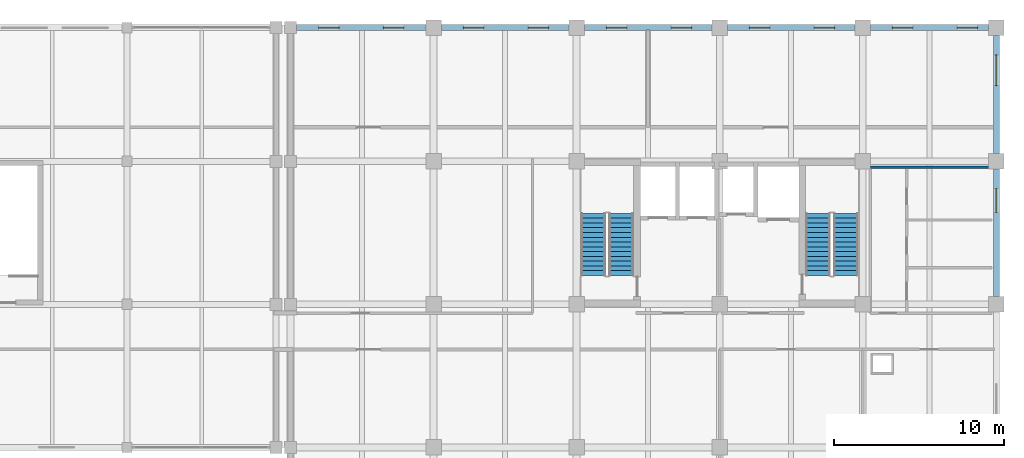
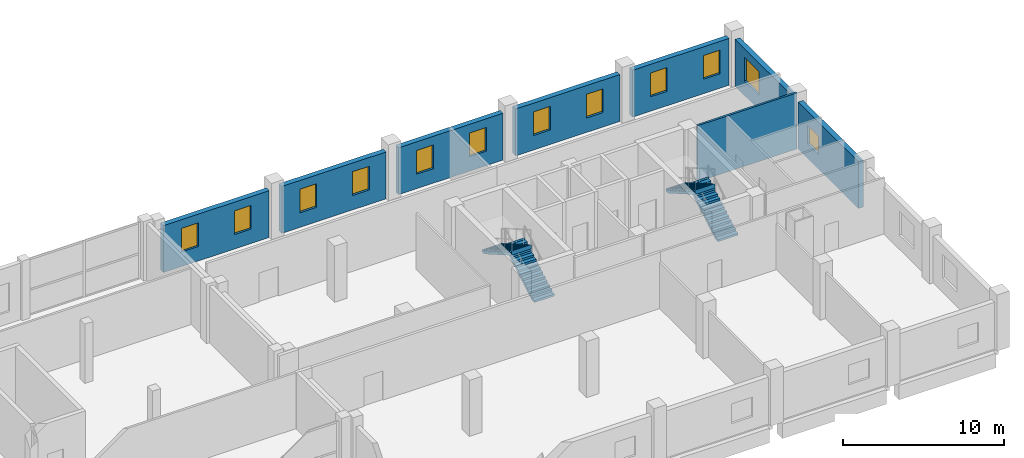
# One storey, part 16 of 18: 12 windows, 8 walls, 4 stair flights, 12 openings, 2 elements without a shape of their own.
"""IFC4 building model written with IfcOpenShell, lengths in metres."""

from ifc_helpers import new_model, si_unit, direction, frame, frame_2d, origin, place, context, subcontext, project, spatial, polyline, rectangle, outline, extrude, material, layer, layer_set, type_object, element, fill, aggregate, save


model = new_model("IFC4")

# Units and contexts
model_context = context("Model", 3, precision=1e-05, world=origin(), true_north=direction((0.0, 1.0)))
body_context = subcontext(model_context, "Body", "Model", "MODEL_VIEW")
ifc_project = project(units=[si_unit("LENGTHUNIT", "METRE"), si_unit("AREAUNIT", "SQUARE_METRE"), si_unit("VOLUMEUNIT", "CUBIC_METRE"), si_unit("PLANEANGLEUNIT", "RADIAN"), si_unit("MASSUNIT", "GRAM", prefix="KILO")], contexts=[model_context])

# Site, building, storey
site_placement = place(None, origin())
site = spatial("IfcSite", under=ifc_project, at=site_placement, CompositionType="ELEMENT")
building_placement = place(site_placement, origin())
building = spatial("IfcBuilding", under=site, at=building_placement, Name="Brinegate Botanical Conservatory", CompositionType="ELEMENT")
storey_placement = place(building_placement, frame((0.0, 0.0, 14.699951171875)))
storey = spatial("IfcBuildingStorey", under=building, at=storey_placement, Name="L04", CompositionType="ELEMENT", Elevation=14.699951171875)

# Wall, openings, windows
ifc_material_1 = material(Name="Insulated Minnan red clay brick masonry", Category="masonry")
ifc_layer_1 = layer(ifc_material_1, 0.360107421875, Name="Insulated Minnan red clay brick masonry", Category="masonry")
ifc_layer_set_1 = layer_set([ifc_layer_1], Name="Insulated Minnan red clay brick masonry")
wall_type_1 = type_object("IfcWallType", Name="Wall_EW-360B", PredefinedType="STANDARD", material=ifc_layer_set_1)
wall_1_placement = place(storey_placement, frame((122.35009765625, 111.449951171875, 0.0), z_axis=(0.0, 0.0, 1.0), x_axis=(1.0, 0.0, 0.0)))
wall_1 = element("IfcWall", 1, at=wall_1_placement, inside=storey, type_object=wall_type_1, Name="Herbarium north insulated red-brick wall L04.1", PredefinedType="STANDARD", context=body_context, shape_type="SweptSolid", body=[
    extrude(rectangle(XDim=7.599853515625, YDim=0.360107421875, at=frame_2d((3.7998046875, 0.0))), origin(), (0.0, 0.0, 1.0), 3.56005859375),
])
opening_1_placement = place(wall_1_placement, frame((1.300048828125, 0.0, 1.10009765625)))
opening_1 = element("IfcOpeningElement", 2, at=opening_1_placement, cuts=wall_1, Name="Opening WN-06", PredefinedType="OPENING", context=body_context, shape_type="SweptSolid", body=[
    extrude(rectangle(XDim=1.199951171875, YDim=1.800048828125, at=frame_2d((0.60009765625, 0.89990234375))), frame((0.0, 0.18994140625, 0.0), z_axis=(0.0, -1.0, 0.0), x_axis=(1.0, 0.0, 0.0)), (0.0, 0.0, 1.0), 0.380126953125),
])
opening_2_placement = place(wall_1_placement, frame((5.10009765625, 0.0, 1.10009765625)))
opening_2 = element("IfcOpeningElement", 3, at=opening_2_placement, cuts=wall_1, Name="Opening WN-06", PredefinedType="OPENING", context=body_context, shape_type="SweptSolid", body=[
    extrude(rectangle(XDim=1.199951171875, YDim=1.800048828125, at=frame_2d((0.60009765625, 0.89990234375))), frame((0.0, 0.18994140625, 0.0), z_axis=(0.0, -1.0, 0.0), x_axis=(1.0, 0.0, 0.0)), (0.0, 0.0, 1.0), 0.380126953125),
])
ifc_material_2 = material(Name="Thermally broken aluminium-framed Low-E glass", Category="aluminium")
window_type_1 = type_object("IfcWindowType", Name="Win_WN-06", PartitioningType="SINGLE_PANEL", PredefinedType="WINDOW", material=ifc_material_2)
window_1_placement = place(opening_1_placement, origin())
window_1 = element("IfcWindow", 4, at=window_1_placement, inside=storey, type_object=window_type_1, Name="Herbarium north UV-filtered window L04.1A", OverallHeight=1.800048828125, OverallWidth=1.199951171875, PartitioningType="SINGLE_PANEL", PredefinedType="WINDOW", context=body_context, shape_type="SweptSolid", body=[
    extrude(rectangle(XDim=1.199951171875, YDim=1.800048828125, at=frame_2d((0.60009765625, 0.89990234375))), frame((0.0, 0.030029296875, 0.0), z_axis=(0.0, -1.0, 0.0), x_axis=(1.0, 0.0, 0.0)), (0.0, 0.0, 1.0), 0.06005859375),
])
fill(opening_1, window_1)
window_2_placement = place(opening_2_placement, origin())
window_2 = element("IfcWindow", 5, at=window_2_placement, inside=storey, type_object=window_type_1, Name="Herbarium north UV-filtered window L04.1B", OverallHeight=1.800048828125, OverallWidth=1.199951171875, PartitioningType="SINGLE_PANEL", PredefinedType="WINDOW", context=body_context, shape_type="SweptSolid", body=[
    extrude(rectangle(XDim=1.199951171875, YDim=1.800048828125, at=frame_2d((0.60009765625, 0.89990234375))), frame((0.0, 0.030029296875, 0.0), z_axis=(0.0, -1.0, 0.0), x_axis=(1.0, 0.0, 0.0)), (0.0, 0.0, 1.0), 0.06005859375),
])
fill(opening_2, window_2)

wall_2_placement = place(storey_placement, frame((130.85009765625, 111.449951171875, 0.0), z_axis=(0.0, 0.0, 1.0), x_axis=(1.0, 0.0, 0.0)))
wall_2 = element("IfcWall", 6, at=wall_2_placement, inside=storey, type_object=wall_type_1, Name="Herbarium north insulated red-brick wall L04.2", PredefinedType="STANDARD", context=body_context, shape_type="SweptSolid", body=[
    extrude(rectangle(XDim=7.5, YDim=0.360107421875, at=frame_2d((3.75, 0.0))), origin(), (0.0, 0.0, 1.0), 3.56005859375),
])
opening_3_placement = place(wall_2_placement, frame((1.300048828125, 0.0, 1.10009765625)))
opening_3 = element("IfcOpeningElement", 7, at=opening_3_placement, cuts=wall_2, Name="Opening WN-06", PredefinedType="OPENING", context=body_context, shape_type="SweptSolid", body=[
    extrude(rectangle(XDim=1.199951171875, YDim=1.800048828125, at=frame_2d((0.60009765625, 0.89990234375))), frame((0.0, 0.18994140625, 0.0), z_axis=(0.0, -1.0, 0.0), x_axis=(1.0, 0.0, 0.0)), (0.0, 0.0, 1.0), 0.380126953125),
])
opening_4_placement = place(wall_2_placement, frame((5.10009765625, 0.0, 1.10009765625)))
opening_4 = element("IfcOpeningElement", 8, at=opening_4_placement, cuts=wall_2, Name="Opening WN-06", PredefinedType="OPENING", context=body_context, shape_type="SweptSolid", body=[
    extrude(rectangle(XDim=1.199951171875, YDim=1.800048828125, at=frame_2d((0.60009765625, 0.89990234375))), frame((0.0, 0.18994140625, 0.0), z_axis=(0.0, -1.0, 0.0), x_axis=(1.0, 0.0, 0.0)), (0.0, 0.0, 1.0), 0.380126953125),
])
window_3_placement = place(opening_3_placement, origin())
window_3 = element("IfcWindow", 9, at=window_3_placement, inside=storey, type_object=window_type_1, Name="Herbarium north UV-filtered window L04.2A", OverallHeight=1.800048828125, OverallWidth=1.199951171875, PartitioningType="SINGLE_PANEL", PredefinedType="WINDOW", context=body_context, shape_type="SweptSolid", body=[
    extrude(rectangle(XDim=1.199951171875, YDim=1.800048828125, at=frame_2d((0.60009765625, 0.89990234375))), frame((0.0, 0.030029296875, 0.0), z_axis=(0.0, -1.0, 0.0), x_axis=(1.0, 0.0, 0.0)), (0.0, 0.0, 1.0), 0.06005859375),
])
fill(opening_3, window_3)
window_4_placement = place(opening_4_placement, origin())
window_4 = element("IfcWindow", 10, at=window_4_placement, inside=storey, type_object=window_type_1, Name="Herbarium north UV-filtered window L04.2B", OverallHeight=1.800048828125, OverallWidth=1.199951171875, PartitioningType="SINGLE_PANEL", PredefinedType="WINDOW", context=body_context, shape_type="SweptSolid", body=[
    extrude(rectangle(XDim=1.199951171875, YDim=1.800048828125, at=frame_2d((0.60009765625, 0.89990234375))), frame((0.0, 0.030029296875, 0.0), z_axis=(0.0, -1.0, 0.0), x_axis=(1.0, 0.0, 0.0)), (0.0, 0.0, 1.0), 0.06005859375),
])
fill(opening_4, window_4)

wall_3_placement = place(storey_placement, frame((139.25, 111.449951171875, 0.0), z_axis=(0.0, 0.0, 1.0), x_axis=(1.0, 0.0, 0.0)))
wall_3 = element("IfcWall", 11, at=wall_3_placement, inside=storey, type_object=wall_type_1, Name="Herbarium north insulated red-brick wall L04.3", PredefinedType="STANDARD", context=body_context, shape_type="SweptSolid", body=[
    extrude(rectangle(XDim=7.5, YDim=0.360107421875, at=frame_2d((3.75, 0.0))), origin(), (0.0, 0.0, 1.0), 3.56005859375),
])
opening_5_placement = place(wall_3_placement, frame((1.300048828125, 0.0, 1.10009765625)))
opening_5 = element("IfcOpeningElement", 12, at=opening_5_placement, cuts=wall_3, Name="Opening WN-06", PredefinedType="OPENING", context=body_context, shape_type="SweptSolid", body=[
    extrude(rectangle(XDim=1.199951171875, YDim=1.800048828125, at=frame_2d((0.60009765625, 0.89990234375))), frame((0.0, 0.18994140625, 0.0), z_axis=(0.0, -1.0, 0.0), x_axis=(1.0, 0.0, 0.0)), (0.0, 0.0, 1.0), 0.380126953125),
])
opening_6_placement = place(wall_3_placement, frame((5.10009765625, 0.0, 1.10009765625)))
opening_6 = element("IfcOpeningElement", 13, at=opening_6_placement, cuts=wall_3, Name="Opening WN-06", PredefinedType="OPENING", context=body_context, shape_type="SweptSolid", body=[
    extrude(rectangle(XDim=1.199951171875, YDim=1.800048828125, at=frame_2d((0.60009765625, 0.89990234375))), frame((0.0, 0.18994140625, 0.0), z_axis=(0.0, -1.0, 0.0), x_axis=(1.0, 0.0, 0.0)), (0.0, 0.0, 1.0), 0.380126953125),
])
window_5_placement = place(opening_5_placement, origin())
window_5 = element("IfcWindow", 14, at=window_5_placement, inside=storey, type_object=window_type_1, Name="Herbarium north UV-filtered window L04.3A", OverallHeight=1.800048828125, OverallWidth=1.199951171875, PartitioningType="SINGLE_PANEL", PredefinedType="WINDOW", context=body_context, shape_type="SweptSolid", body=[
    extrude(rectangle(XDim=1.199951171875, YDim=1.800048828125, at=frame_2d((0.60009765625, 0.89990234375))), frame((0.0, 0.030029296875, 0.0), z_axis=(0.0, -1.0, 0.0), x_axis=(1.0, 0.0, 0.0)), (0.0, 0.0, 1.0), 0.06005859375),
])
fill(opening_5, window_5)
window_6_placement = place(opening_6_placement, origin())
window_6 = element("IfcWindow", 15, at=window_6_placement, inside=storey, type_object=window_type_1, Name="Herbarium north UV-filtered window L04.3B", OverallHeight=1.800048828125, OverallWidth=1.199951171875, PartitioningType="SINGLE_PANEL", PredefinedType="WINDOW", context=body_context, shape_type="SweptSolid", body=[
    extrude(rectangle(XDim=1.199951171875, YDim=1.800048828125, at=frame_2d((0.60009765625, 0.89990234375))), frame((0.0, 0.030029296875, 0.0), z_axis=(0.0, -1.0, 0.0), x_axis=(1.0, 0.0, 0.0)), (0.0, 0.0, 1.0), 0.06005859375),
])
fill(opening_6, window_6)

wall_4_placement = place(storey_placement, frame((147.64990234375, 111.449951171875, 0.0), z_axis=(0.0, 0.0, 1.0), x_axis=(1.0, 0.0, 0.0)))
wall_4 = element("IfcWall", 16, at=wall_4_placement, inside=storey, type_object=wall_type_1, Name="Herbarium north insulated red-brick wall L04.4", PredefinedType="STANDARD", context=body_context, shape_type="SweptSolid", body=[
    extrude(rectangle(XDim=7.5, YDim=0.360107421875, at=frame_2d((3.75, 0.0))), origin(), (0.0, 0.0, 1.0), 3.56005859375),
])
opening_7_placement = place(wall_4_placement, frame((1.300048828125, 0.0, 1.10009765625)))
opening_7 = element("IfcOpeningElement", 17, at=opening_7_placement, cuts=wall_4, Name="Opening WN-06", PredefinedType="OPENING", context=body_context, shape_type="SweptSolid", body=[
    extrude(rectangle(XDim=1.199951171875, YDim=1.800048828125, at=frame_2d((0.60009765625, 0.89990234375))), frame((0.0, 0.18994140625, 0.0), z_axis=(0.0, -1.0, 0.0), x_axis=(1.0, 0.0, 0.0)), (0.0, 0.0, 1.0), 0.380126953125),
])
opening_8_placement = place(wall_4_placement, frame((5.10009765625, 0.0, 1.10009765625)))
opening_8 = element("IfcOpeningElement", 18, at=opening_8_placement, cuts=wall_4, Name="Opening WN-06", PredefinedType="OPENING", context=body_context, shape_type="SweptSolid", body=[
    extrude(rectangle(XDim=1.199951171875, YDim=1.800048828125, at=frame_2d((0.60009765625, 0.89990234375))), frame((0.0, 0.18994140625, 0.0), z_axis=(0.0, -1.0, 0.0), x_axis=(1.0, 0.0, 0.0)), (0.0, 0.0, 1.0), 0.380126953125),
])
window_7_placement = place(opening_7_placement, origin())
window_7 = element("IfcWindow", 19, at=window_7_placement, inside=storey, type_object=window_type_1, Name="Herbarium north UV-filtered window L04.4A", OverallHeight=1.800048828125, OverallWidth=1.199951171875, PartitioningType="SINGLE_PANEL", PredefinedType="WINDOW", context=body_context, shape_type="SweptSolid", body=[
    extrude(rectangle(XDim=1.199951171875, YDim=1.800048828125, at=frame_2d((0.60009765625, 0.89990234375))), frame((0.0, 0.030029296875, 0.0), z_axis=(0.0, -1.0, 0.0), x_axis=(1.0, 0.0, 0.0)), (0.0, 0.0, 1.0), 0.06005859375),
])
fill(opening_7, window_7)
window_8_placement = place(opening_8_placement, origin())
window_8 = element("IfcWindow", 20, at=window_8_placement, inside=storey, type_object=window_type_1, Name="Herbarium north UV-filtered window L04.4B", OverallHeight=1.800048828125, OverallWidth=1.199951171875, PartitioningType="SINGLE_PANEL", PredefinedType="WINDOW", context=body_context, shape_type="SweptSolid", body=[
    extrude(rectangle(XDim=1.199951171875, YDim=1.800048828125, at=frame_2d((0.60009765625, 0.89990234375))), frame((0.0, 0.030029296875, 0.0), z_axis=(0.0, -1.0, 0.0), x_axis=(1.0, 0.0, 0.0)), (0.0, 0.0, 1.0), 0.06005859375),
])
fill(opening_8, window_8)

wall_5_placement = place(storey_placement, frame((156.050048828125, 111.449951171875, 0.0), z_axis=(0.0, 0.0, 1.0), x_axis=(1.0, 0.0, 0.0)))
wall_5 = element("IfcWall", 21, at=wall_5_placement, inside=storey, type_object=wall_type_1, Name="Herbarium north insulated red-brick wall L04.5", PredefinedType="STANDARD", context=body_context, shape_type="SweptSolid", body=[
    extrude(rectangle(XDim=6.949951171875, YDim=0.360107421875, at=frame_2d((3.47509765625, 0.0))), origin(), (0.0, 0.0, 1.0), 3.56005859375),
])
opening_9_placement = place(wall_5_placement, frame((1.300048828125, 0.0, 1.10009765625)))
opening_9 = element("IfcOpeningElement", 22, at=opening_9_placement, cuts=wall_5, Name="Opening WN-06", PredefinedType="OPENING", context=body_context, shape_type="SweptSolid", body=[
    extrude(rectangle(XDim=1.199951171875, YDim=1.800048828125, at=frame_2d((0.60009765625, 0.89990234375))), frame((0.0, 0.18994140625, 0.0), z_axis=(0.0, -1.0, 0.0), x_axis=(1.0, 0.0, 0.0)), (0.0, 0.0, 1.0), 0.380126953125),
])
opening_10_placement = place(wall_5_placement, frame((5.10009765625, 0.0, 1.10009765625)))
opening_10 = element("IfcOpeningElement", 23, at=opening_10_placement, cuts=wall_5, Name="Opening WN-06", PredefinedType="OPENING", context=body_context, shape_type="SweptSolid", body=[
    extrude(rectangle(XDim=1.199951171875, YDim=1.800048828125, at=frame_2d((0.60009765625, 0.89990234375))), frame((0.0, 0.18994140625, 0.0), z_axis=(0.0, -1.0, 0.0), x_axis=(1.0, 0.0, 0.0)), (0.0, 0.0, 1.0), 0.380126953125),
])
window_9_placement = place(opening_9_placement, origin())
window_9 = element("IfcWindow", 24, at=window_9_placement, inside=storey, type_object=window_type_1, Name="Herbarium north UV-filtered window L04.5A", OverallHeight=1.800048828125, OverallWidth=1.199951171875, PartitioningType="SINGLE_PANEL", PredefinedType="WINDOW", context=body_context, shape_type="SweptSolid", body=[
    extrude(rectangle(XDim=1.199951171875, YDim=1.800048828125, at=frame_2d((0.60009765625, 0.89990234375))), frame((0.0, 0.030029296875, 0.0), z_axis=(0.0, -1.0, 0.0), x_axis=(1.0, 0.0, 0.0)), (0.0, 0.0, 1.0), 0.06005859375),
])
fill(opening_9, window_9)
window_10_placement = place(opening_10_placement, origin())
window_10 = element("IfcWindow", 25, at=window_10_placement, inside=storey, type_object=window_type_1, Name="Herbarium north UV-filtered window L04.5B", OverallHeight=1.800048828125, OverallWidth=1.199951171875, PartitioningType="SINGLE_PANEL", PredefinedType="WINDOW", context=body_context, shape_type="SweptSolid", body=[
    extrude(rectangle(XDim=1.199951171875, YDim=1.800048828125, at=frame_2d((0.60009765625, 0.89990234375))), frame((0.0, 0.030029296875, 0.0), z_axis=(0.0, -1.0, 0.0), x_axis=(1.0, 0.0, 0.0)), (0.0, 0.0, 1.0), 0.06005859375),
])
fill(opening_10, window_10)

# Wall, opening, window
wall_6_placement = place(storey_placement, frame((163.449951171875, 103.14990234375, 0.0), z_axis=(0.0, 0.0, 1.0), x_axis=(0.0, -1.0, 0.0)))
wall_6 = element("IfcWall", 26, at=wall_6_placement, inside=storey, type_object=wall_type_1, Name="Tower east brick wall L04.3", PredefinedType="STANDARD", context=body_context, shape_type="SweptSolid", body=[
    extrude(rectangle(XDim=7.5, YDim=0.360107421875, at=frame_2d((3.75, 0.0))), origin(), (0.0, 0.0, 1.0), 3.56005859375),
])
opening_11_placement = place(wall_6_placement, frame((1.14990234375, 0.0, 1.10009765625)))
opening_11 = element("IfcOpeningElement", 27, at=opening_11_placement, cuts=wall_6, Name="Opening WN-16", PredefinedType="OPENING", context=body_context, shape_type="SweptSolid", body=[
    extrude(rectangle(XDim=1.39990234375, YDim=1.39990234375, at=frame_2d((0.699951171875, 0.699951171875))), frame((0.0, 0.18994140625, 0.0), z_axis=(0.0, -1.0, 0.0), x_axis=(1.0, 0.0, 0.0)), (0.0, 0.0, 1.0), 0.380126953125),
])
window_type_2 = type_object("IfcWindowType", Name="Win_WN-16", PartitioningType="SINGLE_PANEL", PredefinedType="WINDOW", material=ifc_material_2)
window_11_placement = place(opening_11_placement, origin())
window_11 = element("IfcWindow", 28, at=window_11_placement, inside=storey, type_object=window_type_2, Name="Tower east window L04.3", OverallHeight=1.39990234375, OverallWidth=1.39990234375, PartitioningType="SINGLE_PANEL", PredefinedType="WINDOW", context=body_context, shape_type="SweptSolid", body=[
    extrude(rectangle(XDim=1.39990234375, YDim=1.39990234375, at=frame_2d((0.699951171875, 0.699951171875))), frame((0.0, 0.030029296875, 0.0), z_axis=(0.0, -1.0, 0.0), x_axis=(1.0, 0.0, 0.0)), (0.0, 0.0, 1.0), 0.06005859375),
])
fill(opening_11, window_11)

wall_7_placement = place(storey_placement, frame((163.449951171875, 111.0, 0.0), z_axis=(0.0, 0.0, 1.0), x_axis=(0.0, -1.0, 0.0)))
wall_7 = element("IfcWall", 29, at=wall_7_placement, inside=storey, type_object=wall_type_1, Name="Tower east brick wall L04.4", PredefinedType="STANDARD", context=body_context, shape_type="SweptSolid", body=[
    extrude(rectangle(XDim=6.949951171875, YDim=0.360107421875, at=frame_2d((3.47509765625, 0.0))), origin(), (0.0, 0.0, 1.0), 3.56005859375),
])
opening_12_placement = place(wall_7_placement, frame((1.14990234375, 0.0, 1.10009765625)))
opening_12 = element("IfcOpeningElement", 30, at=opening_12_placement, cuts=wall_7, Name="Opening WN-05", PredefinedType="OPENING", context=body_context, shape_type="SweptSolid", body=[
    extrude(rectangle(XDim=1.800048828125, YDim=1.800048828125, at=frame_2d((0.89990234375, 0.89990234375))), frame((0.0, 0.18994140625, 0.0), z_axis=(0.0, -1.0, 0.0), x_axis=(1.0, 0.0, 0.0)), (0.0, 0.0, 1.0), 0.380126953125),
])
window_type_3 = type_object("IfcWindowType", Name="Win_WN-05", PartitioningType="DOUBLE_PANEL_VERTICAL", PredefinedType="WINDOW", material=ifc_material_2)
window_12_placement = place(opening_12_placement, origin())
window_12 = element("IfcWindow", 31, at=window_12_placement, inside=storey, type_object=window_type_3, Name="Tower east window L04.4", OverallHeight=1.800048828125, OverallWidth=1.800048828125, PartitioningType="DOUBLE_PANEL_VERTICAL", PredefinedType="WINDOW", context=body_context, shape_type="SweptSolid", body=[
    extrude(rectangle(XDim=1.800048828125, YDim=1.800048828125, at=frame_2d((0.89990234375, 0.89990234375))), frame((0.0, 0.030029296875, 0.0), z_axis=(0.0, -1.0, 0.0), x_axis=(1.0, 0.0, 0.0)), (0.0, 0.0, 1.0), 0.06005859375),
])
fill(opening_12, window_12)

# Wall
ifc_material_3 = material(Name="Moisture-resistant cement-board partition", Category="gypsum")
ifc_layer_2 = layer(ifc_material_3, 0.14990234375, Name="Moisture-resistant cement-board partition", Category="gypsum")
ifc_layer_set_2 = layer_set([ifc_layer_2], Name="Moisture-resistant cement-board partition")
wall_type_2 = type_object("IfcWallType", Name="Wall_PW-150W", PredefinedType="PARTITIONING", material=ifc_layer_set_2)
wall_8_placement = place(storey_placement, frame((156.050048828125, 103.25, 0.0), z_axis=(0.0, 0.0, 1.0), x_axis=(1.0, 0.0, 0.0)))
element("IfcWall", 32, at=wall_8_placement, inside=storey, type_object=wall_type_2, Name="Interior partition P-L04-WCN", PredefinedType="PARTITIONING", context=body_context, shape_type="SweptSolid", body=[
    extrude(rectangle(XDim=7.14990234375, YDim=0.14990234375, at=frame_2d((3.574951171875, 0.0))), origin(), (0.0, 0.0, 1.0), 4.260009765625),
])

# Stair, stair flights
ifc_material_4 = material(Name="Concrete C40/50", Category="concrete")
stair_type = type_object("IfcStairType", Name="Stair_HT-4500", PredefinedType="HALF_TURN_STAIR", material=ifc_material_4)
stair_1_placement = place(storey_placement, origin())
stair_1 = element("IfcStair", 33, at=stair_1_placement, inside=storey, type_object=stair_type, Name="L04 Tower West Smoke-Proof Stair ST1", PredefinedType="HALF_TURN_STAIR")
stair_flight_type = type_object("IfcStairFlightType", Name="Flight_SF-4500", PredefinedType="STRAIGHT", material=ifc_material_4)
stair_flight_1_placement = place(storey_placement, frame((141.425048828125, 96.89990234375, 0.0), z_axis=(0.0, 0.0, 1.0), x_axis=(0.0, 1.0, 0.0)))
stair_flight_1 = element("IfcStairFlight", 34, at=stair_flight_1_placement, type_object=stair_flight_type, Name="ST1 flight 1", NumberOfRisers=14, NumberOfTreads=13, PredefinedType="STRAIGHT", RiserHeight=0.160714286, TreadLength=0.28, context=body_context, shape_type="SweptSolid", body=[
    extrude(outline(polyline([(-0.00048828125, 0.0), (-0.00048828125, 0.16064453125), (0.280029296875, 0.16064453125), (0.280029296875, 0.321533203125), (0.56005859375, 0.321533203125), (0.56005859375, 0.482177734375), (0.840087890625, 0.482177734375), (0.840087890625, 0.642822265625), (1.1201171875, 0.642822265625), (1.1201171875, 0.803466796875), (1.39990234375, 0.803466796875), (1.39990234375, 0.96435546875), (1.679931640625, 0.96435546875), (1.679931640625, 1.125), (1.9599609375, 1.125), (1.9599609375, 1.28564453125), (2.239990234375, 1.28564453125), (2.239990234375, 1.446533203125), (2.52001953125, 1.446533203125), (2.52001953125, 1.607177734375), (2.800048828125, 1.607177734375), (2.800048828125, 1.767822265625), (3.080078125, 1.767822265625), (3.080078125, 1.928466796875), (3.360107421875, 1.928466796875), (3.360107421875, 2.08935546875), (3.639892578125, 2.08935546875), (3.639892578125, 2.25), (3.640380859375, 2.25), (3.640380859375, 1.91650390625), (0.301025390625, 0.0), (-0.00048828125, 0.0)])), frame((0.0, 0.72509765625, 0.0), z_axis=(0.0, -1.0, 0.0), x_axis=(1.0, 0.0, 0.0)), (0.0, 0.0, 1.0), 1.449951171875),
])
stair_flight_2_placement = place(storey_placement, frame((139.77490234375, 100.5400390625, 2.25), z_axis=(0.0, 0.0, 1.0), x_axis=(0.0, -1.0, 0.0)))
stair_flight_2 = element("IfcStairFlight", 35, at=stair_flight_2_placement, type_object=stair_flight_type, Name="ST1 flight 2", NumberOfRisers=14, NumberOfTreads=13, PredefinedType="STRAIGHT", RiserHeight=0.160714286, TreadLength=0.28, context=body_context, shape_type="SweptSolid", body=[
    extrude(outline(polyline([(-0.00048828125, 0.0), (-0.00048828125, 0.16064453125), (0.280029296875, 0.16064453125), (0.280029296875, 0.321533203125), (0.56005859375, 0.321533203125), (0.56005859375, 0.482177734375), (0.840087890625, 0.482177734375), (0.840087890625, 0.642822265625), (1.1201171875, 0.642822265625), (1.1201171875, 0.803466796875), (1.39990234375, 0.803466796875), (1.39990234375, 0.96435546875), (1.679931640625, 0.96435546875), (1.679931640625, 1.125), (1.9599609375, 1.125), (1.9599609375, 1.28564453125), (2.239990234375, 1.28564453125), (2.239990234375, 1.446533203125), (2.52001953125, 1.446533203125), (2.52001953125, 1.607177734375), (2.800048828125, 1.607177734375), (2.800048828125, 1.767822265625), (3.080078125, 1.767822265625), (3.080078125, 1.928466796875), (3.360107421875, 1.928466796875), (3.360107421875, 2.08935546875), (3.639892578125, 2.08935546875), (3.639892578125, 2.25), (3.640380859375, 2.25), (3.640380859375, 1.91650390625), (0.301025390625, 0.0), (-0.00048828125, 0.0)])), frame((0.0, 0.72509765625, 0.0), z_axis=(0.0, -1.0, 0.0), x_axis=(1.0, 0.0, 0.0)), (0.0, 0.0, 1.0), 1.449951171875),
])
aggregate(stair_1, [stair_flight_1, stair_flight_2])

stair_2_placement = place(storey_placement, origin())
stair_2 = element("IfcStair", 36, at=stair_2_placement, inside=storey, type_object=stair_type, Name="L04 Tower East Smoke-Proof Stair ST2", PredefinedType="HALF_TURN_STAIR")
stair_flight_3_placement = place(storey_placement, frame((154.625, 96.89990234375, 0.0), z_axis=(0.0, 0.0, 1.0), x_axis=(0.0, 1.0, 0.0)))
stair_flight_3 = element("IfcStairFlight", 37, at=stair_flight_3_placement, type_object=stair_flight_type, Name="ST2 flight 1", NumberOfRisers=14, NumberOfTreads=13, PredefinedType="STRAIGHT", RiserHeight=0.160714286, TreadLength=0.28, context=body_context, shape_type="SweptSolid", body=[
    extrude(outline(polyline([(-0.00048828125, 0.0), (-0.00048828125, 0.16064453125), (0.280029296875, 0.16064453125), (0.280029296875, 0.321533203125), (0.56005859375, 0.321533203125), (0.56005859375, 0.482177734375), (0.840087890625, 0.482177734375), (0.840087890625, 0.642822265625), (1.1201171875, 0.642822265625), (1.1201171875, 0.803466796875), (1.39990234375, 0.803466796875), (1.39990234375, 0.96435546875), (1.679931640625, 0.96435546875), (1.679931640625, 1.125), (1.9599609375, 1.125), (1.9599609375, 1.28564453125), (2.239990234375, 1.28564453125), (2.239990234375, 1.446533203125), (2.52001953125, 1.446533203125), (2.52001953125, 1.607177734375), (2.800048828125, 1.607177734375), (2.800048828125, 1.767822265625), (3.080078125, 1.767822265625), (3.080078125, 1.928466796875), (3.360107421875, 1.928466796875), (3.360107421875, 2.08935546875), (3.639892578125, 2.08935546875), (3.639892578125, 2.25), (3.640380859375, 2.25), (3.640380859375, 1.91650390625), (0.301025390625, 0.0), (-0.00048828125, 0.0)])), frame((0.0, 0.72509765625, 0.0), z_axis=(0.0, -1.0, 0.0), x_axis=(1.0, 0.0, 0.0)), (0.0, 0.0, 1.0), 1.449951171875),
])
stair_flight_4_placement = place(storey_placement, frame((152.97509765625, 100.5400390625, 2.25), z_axis=(0.0, 0.0, 1.0), x_axis=(0.0, -1.0, 0.0)))
stair_flight_4 = element("IfcStairFlight", 38, at=stair_flight_4_placement, type_object=stair_flight_type, Name="ST2 flight 2", NumberOfRisers=14, NumberOfTreads=13, PredefinedType="STRAIGHT", RiserHeight=0.160714286, TreadLength=0.28, context=body_context, shape_type="SweptSolid", body=[
    extrude(outline(polyline([(-0.00048828125, 0.0), (-0.00048828125, 0.16064453125), (0.280029296875, 0.16064453125), (0.280029296875, 0.321533203125), (0.56005859375, 0.321533203125), (0.56005859375, 0.482177734375), (0.840087890625, 0.482177734375), (0.840087890625, 0.642822265625), (1.1201171875, 0.642822265625), (1.1201171875, 0.803466796875), (1.39990234375, 0.803466796875), (1.39990234375, 0.96435546875), (1.679931640625, 0.96435546875), (1.679931640625, 1.125), (1.9599609375, 1.125), (1.9599609375, 1.28564453125), (2.239990234375, 1.28564453125), (2.239990234375, 1.446533203125), (2.52001953125, 1.446533203125), (2.52001953125, 1.607177734375), (2.800048828125, 1.607177734375), (2.800048828125, 1.767822265625), (3.080078125, 1.767822265625), (3.080078125, 1.928466796875), (3.360107421875, 1.928466796875), (3.360107421875, 2.08935546875), (3.639892578125, 2.08935546875), (3.639892578125, 2.25), (3.640380859375, 2.25), (3.640380859375, 1.91650390625), (0.301025390625, 0.0), (-0.00048828125, 0.0)])), frame((0.0, 0.72509765625, 0.0), z_axis=(0.0, -1.0, 0.0), x_axis=(1.0, 0.0, 0.0)), (0.0, 0.0, 1.0), 1.449951171875),
])
aggregate(stair_2, [stair_flight_3, stair_flight_4])

save(model, "model.ifc")
